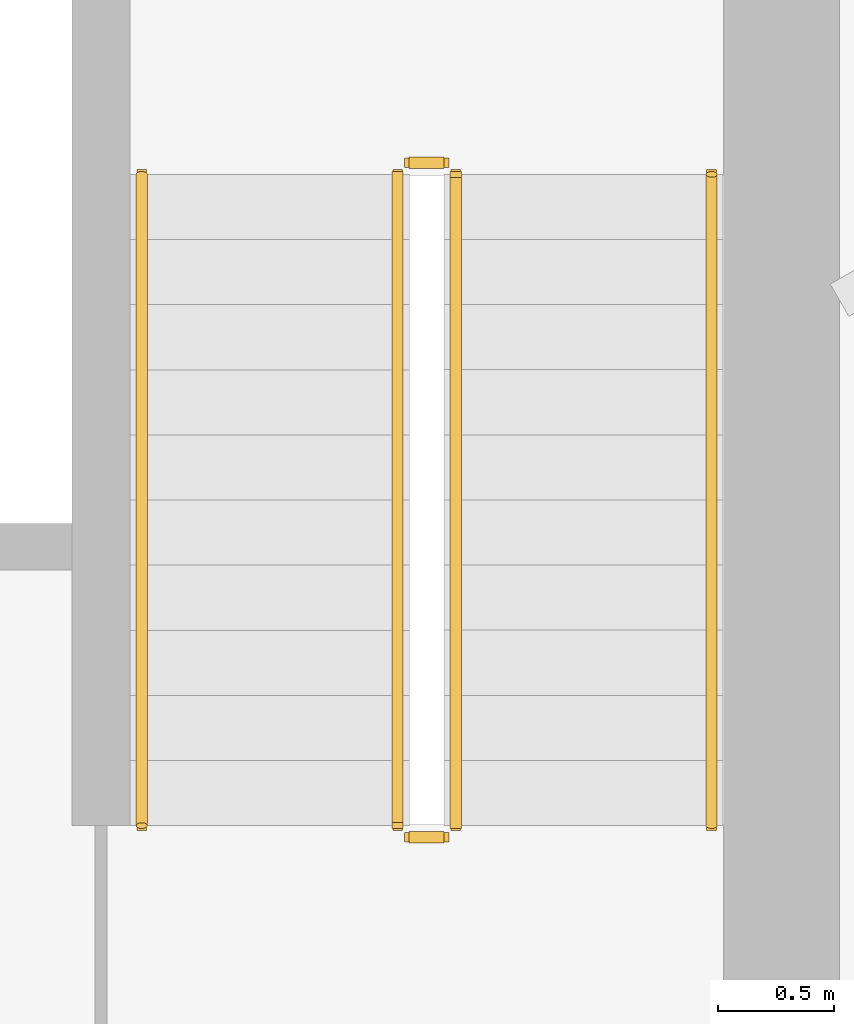
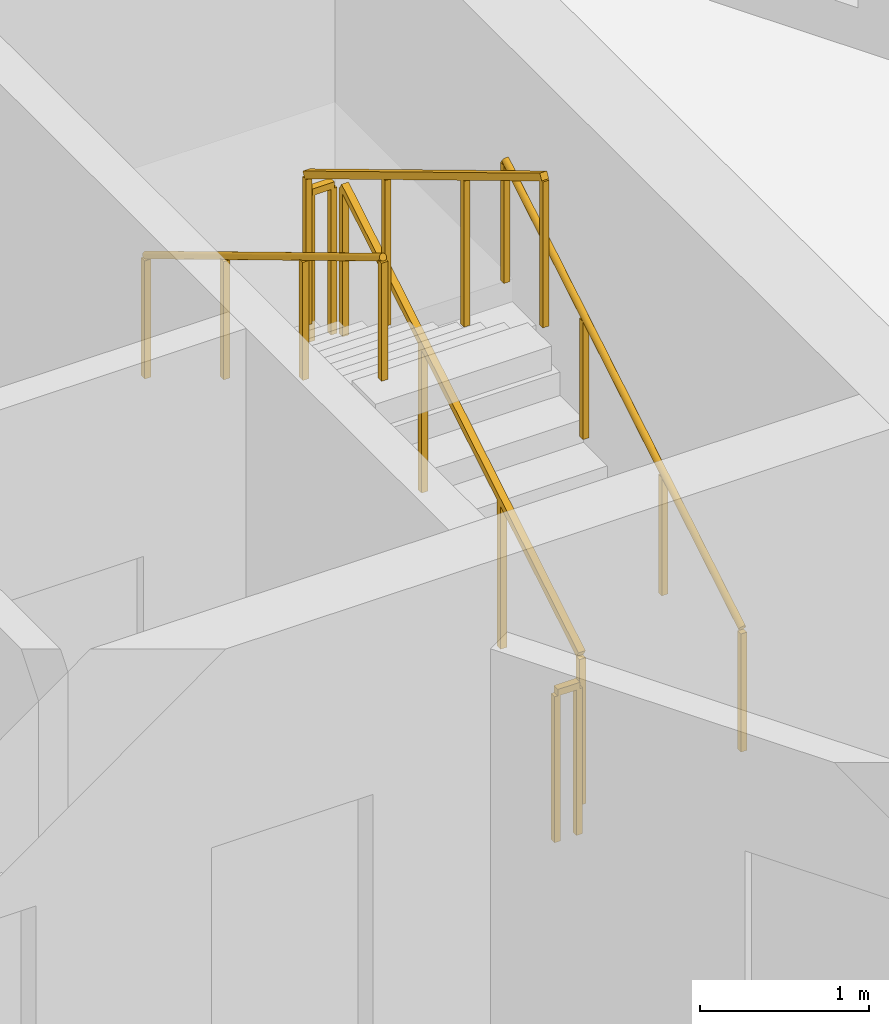
# One storey, part 13 of 13: 6 railings.
"""IFC4 building model written with IfcOpenShell, lengths in metres."""

from ifc_helpers import new_model, si_unit, direction, frame, origin, origin_2d, place, context, subcontext, project, spatial, rectangle, circle, extrude, material, type_object, element, save


model = new_model("IFC4")

# Units and contexts
model_context = context("Model", 3, precision=1e-05, world=origin(), true_north=direction((0.0, 1.0)))
body_context = subcontext(model_context, "Body", "Model", "MODEL_VIEW")
ifc_project = project(units=[si_unit("LENGTHUNIT", "METRE"), si_unit("AREAUNIT", "SQUARE_METRE"), si_unit("VOLUMEUNIT", "CUBIC_METRE"), si_unit("PLANEANGLEUNIT", "RADIAN"), si_unit("MASSUNIT", "GRAM", prefix="KILO")], contexts=[model_context])

# Site, building, storey
site_placement = place(None, origin())
site = spatial("IfcSite", under=ifc_project, at=site_placement, CompositionType="ELEMENT")
building_placement = place(site_placement, origin())
building = spatial("IfcBuilding", under=site, at=building_placement, Name="Apuvela Tower Hotel", CompositionType="ELEMENT")
storey_placement = place(building_placement, frame((0.0, 0.0, 102.0)))
storey = spatial("IfcBuildingStorey", under=building, at=storey_placement, Name="L23", CompositionType="ELEMENT", Elevation=102.0)

# Railings
ifc_material_1 = material(Name="Steel S275 balustrade", Category="steel")
railing_type_1 = type_object("IfcRailingType", Name="COR-GUARD-1100", PredefinedType="GUARDRAIL", material=ifc_material_1)
railing_1_placement = place(storey_placement, frame((3.85009765625, 14.60009765625, 0.168212890625)))
element("IfcRailing", 1, at=railing_1_placement, inside=storey, type_object=railing_type_1, Name="L23 ST1 stair guard 1", PredefinedType="GUARDRAIL", context=body_context, shape_type="SweptSolid", body=[
    extrude(rectangle(XDim=0.048095703125, YDim=0.048095703125, at=origin_2d()), frame((0.0, 0.0, 1.076171875), z_axis=(0.0, 0.857222391501, 0.514946377315), x_axis=(-1.0, 0.0, 0.0)), (0.0, 0.0, 1.0), 3.26611328125),
    extrude(rectangle(XDim=0.0419921875, YDim=0.0419921875, at=origin_2d()), origin(), (0.0, 0.0, 1.0), 1.052001953125),
    extrude(rectangle(XDim=0.0419921875, YDim=0.0419921875, at=origin_2d()), frame((0.0, 0.933349609375, 0.560546875)), (0.0, 0.0, 1.0), 1.052001953125),
    extrude(rectangle(XDim=0.0419921875, YDim=0.0419921875, at=origin_2d()), frame((0.0, 1.866455078125, 1.121337890625)), (0.0, 0.0, 1.0), 1.052001953125),
    extrude(rectangle(XDim=0.0419921875, YDim=0.0419921875, at=origin_2d()), frame((0.0, 2.7998046875, 1.681884765625)), (0.0, 0.0, 1.0), 1.052001953125),
])
railing_2_placement = place(storey_placement, frame((3.800048828125, 17.449951171875, 1.85009765625)))
element("IfcRailing", 2, at=railing_2_placement, inside=storey, type_object=railing_type_1, Name="L23 ST1 stair guard 2", PredefinedType="GUARDRAIL", context=body_context, shape_type="SweptSolid", body=[
    extrude(rectangle(XDim=0.048095703125, YDim=0.048095703125, at=origin_2d()), frame((0.0, 0.0, 1.076171875), z_axis=(-1.0, 0.0, 0.0), x_axis=(0.0, -1.0, 0.0)), (0.0, 0.0, 1.0), 0.150146484375),
    extrude(rectangle(XDim=0.0419921875, YDim=0.0419921875, at=origin_2d()), origin(), (0.0, 0.0, 1.0), 1.052001953125),
    extrude(rectangle(XDim=0.0419921875, YDim=0.0419921875, at=origin_2d()), frame((-0.150146484375, 0.0, 0.0)), (0.0, 0.0, 1.0), 1.052001953125),
])
railing_3_placement = place(storey_placement, frame((3.60009765625, 17.39990234375, 2.01806640625)))
element("IfcRailing", 3, at=railing_3_placement, inside=storey, type_object=railing_type_1, Name="L23 ST1 stair guard 3", PredefinedType="GUARDRAIL", context=body_context, shape_type="SweptSolid", body=[
    extrude(rectangle(XDim=0.048095703125, YDim=0.048095703125, at=origin_2d()), frame((0.0, 0.0, 1.076171875), z_axis=(0.0, -0.857222391501, 0.514946377315), x_axis=(1.0, 0.0, 0.0)), (0.0, 0.0, 1.0), 3.26611328125),
    extrude(rectangle(XDim=0.0419921875, YDim=0.0419921875, at=origin_2d()), origin(), (0.0, 0.0, 1.0), 1.052001953125),
    extrude(rectangle(XDim=0.0419921875, YDim=0.0419921875, at=origin_2d()), frame((0.0, -0.933349609375, 0.560546875)), (0.0, 0.0, 1.0), 1.052001953125),
    extrude(rectangle(XDim=0.0419921875, YDim=0.0419921875, at=origin_2d()), frame((0.0, -1.866455078125, 1.121337890625)), (0.0, 0.0, 1.0), 1.052001953125),
    extrude(rectangle(XDim=0.0419921875, YDim=0.0419921875, at=origin_2d()), frame((0.0, -2.7998046875, 1.681884765625)), (0.0, 0.0, 1.0), 1.052001953125),
])
railing_4_placement = place(storey_placement, frame((3.800048828125, 14.550048828125, 0.0)))
element("IfcRailing", 4, at=railing_4_placement, inside=storey, type_object=railing_type_1, Name="L23 ST1 stair guard 4", PredefinedType="GUARDRAIL", context=body_context, shape_type="SweptSolid", body=[
    extrude(rectangle(XDim=0.048095703125, YDim=0.048095703125, at=origin_2d()), frame((0.0, 0.0, 1.076171875), z_axis=(-1.0, 0.0, 0.0), x_axis=(0.0, -1.0, 0.0)), (0.0, 0.0, 1.0), 0.150146484375),
    extrude(rectangle(XDim=0.0419921875, YDim=0.0419921875, at=origin_2d()), origin(), (0.0, 0.0, 1.0), 1.052001953125),
    extrude(rectangle(XDim=0.0419921875, YDim=0.0419921875, at=origin_2d()), frame((-0.150146484375, 0.0, 0.0)), (0.0, 0.0, 1.0), 1.052001953125),
])
ifc_material_2 = material(Name="Stainless steel 316 handrail", Category="steel")
railing_type_2 = type_object("IfcRailingType", Name="COR-HANDRAIL-900", PredefinedType="HANDRAIL", material=ifc_material_2)
railing_5_placement = place(storey_placement, frame((4.949951171875, 14.60009765625, 0.168212890625)))
element("IfcRailing", 5, at=railing_5_placement, inside=storey, type_object=railing_type_2, Name="L23 ST1 stair handrail 1", PredefinedType="HANDRAIL", context=body_context, shape_type="SweptSolid", body=[
    extrude(circle(Radius=0.02392578125, at=origin_2d()), frame((0.0, 0.0, 0.8759765625), z_axis=(0.0, 0.857222391501, 0.514946377315), x_axis=(-1.0, 0.0, 0.0)), (0.0, 0.0, 1.0), 3.26611328125),
    extrude(rectangle(XDim=0.0419921875, YDim=0.0419921875, at=origin_2d()), origin(), (0.0, 0.0, 1.0), 0.851806640625),
    extrude(rectangle(XDim=0.0419921875, YDim=0.0419921875, at=origin_2d()), frame((0.0, 0.933349609375, 0.560546875)), (0.0, 0.0, 1.0), 0.851806640625),
    extrude(rectangle(XDim=0.0419921875, YDim=0.0419921875, at=origin_2d()), frame((0.0, 1.866455078125, 1.121337890625)), (0.0, 0.0, 1.0), 0.851806640625),
    extrude(rectangle(XDim=0.0419921875, YDim=0.0419921875, at=origin_2d()), frame((0.0, 2.7998046875, 1.681884765625)), (0.0, 0.0, 1.0), 0.851806640625),
])
railing_6_placement = place(storey_placement, frame((2.5, 17.39990234375, 2.01806640625)))
element("IfcRailing", 6, at=railing_6_placement, inside=storey, type_object=railing_type_2, Name="L23 ST1 stair handrail 2", PredefinedType="HANDRAIL", context=body_context, shape_type="SweptSolid", body=[
    extrude(circle(Radius=0.02392578125, at=origin_2d()), frame((0.0, 0.0, 0.8759765625), z_axis=(0.0, -0.857222391501, 0.514946377315), x_axis=(1.0, 0.0, 0.0)), (0.0, 0.0, 1.0), 3.26611328125),
    extrude(rectangle(XDim=0.0419921875, YDim=0.0419921875, at=origin_2d()), origin(), (0.0, 0.0, 1.0), 0.851806640625),
    extrude(rectangle(XDim=0.0419921875, YDim=0.0419921875, at=origin_2d()), frame((0.0, -0.933349609375, 0.560546875)), (0.0, 0.0, 1.0), 0.851806640625),
    extrude(rectangle(XDim=0.0419921875, YDim=0.0419921875, at=origin_2d()), frame((0.0, -1.866455078125, 1.121337890625)), (0.0, 0.0, 1.0), 0.851806640625),
    extrude(rectangle(XDim=0.0419921875, YDim=0.0419921875, at=origin_2d()), frame((0.0, -2.7998046875, 1.681884765625)), (0.0, 0.0, 1.0), 0.851806640625),
])

save(model, "model.ifc")
